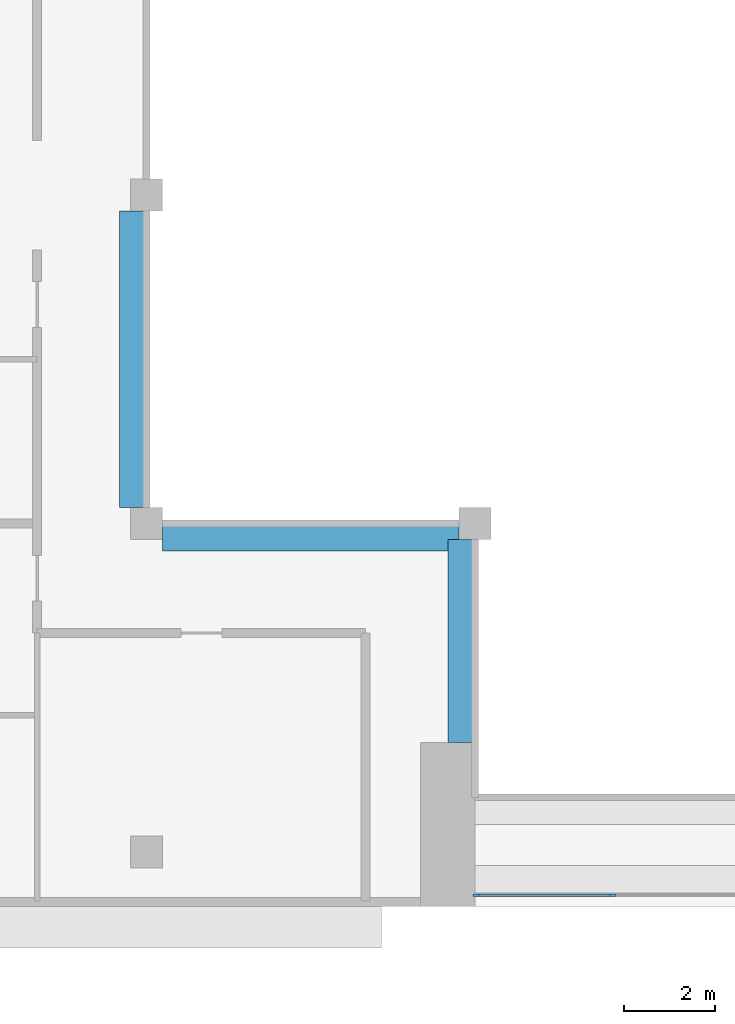
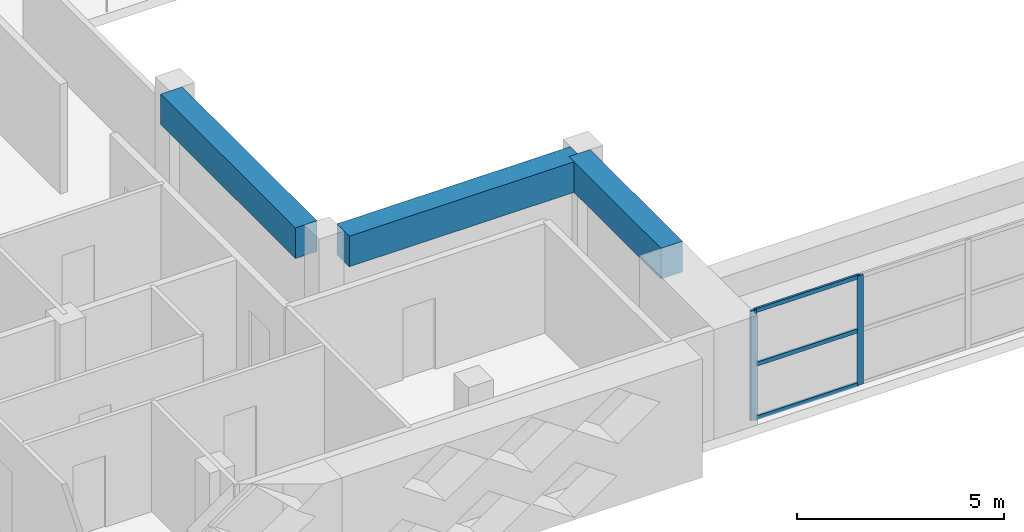
# One storey, part 2 of 18: 5 members, 3 beams, 1 element without a shape of its own.
"""IFC4 building model written with IfcOpenShell, lengths in metres."""

from ifc_helpers import new_model, si_unit, direction, frame, origin, origin_2d, place, context, subcontext, project, spatial, rectangle, extrude, source, transform, mapped, material, layer, layer_set, material_profile, profile_set, type_object, element, aggregate, save


model = new_model("IFC4")

# Units and contexts
model_context = context("Model", 3, precision=1e-05, world=origin(), true_north=direction((0.0, 1.0)))
body_context = subcontext(model_context, "Body", "Model", "MODEL_VIEW")
ifc_project = project(units=[si_unit("LENGTHUNIT", "METRE"), si_unit("AREAUNIT", "SQUARE_METRE"), si_unit("VOLUMEUNIT", "CUBIC_METRE"), si_unit("PLANEANGLEUNIT", "RADIAN"), si_unit("MASSUNIT", "GRAM", prefix="KILO")], contexts=[model_context])

# Site, building, storey
site_placement = place(None, origin())
site = spatial("IfcSite", under=ifc_project, at=site_placement, CompositionType="ELEMENT")
building_placement = place(site_placement, origin())
building = spatial("IfcBuilding", under=site, at=building_placement, Name="Saffron Iwan Residences", CompositionType="ELEMENT")
storey_placement = place(building_placement, frame((0.0, 0.0, 257.0)))
storey = spatial("IfcBuildingStorey", under=building, at=storey_placement, Name="L69", CompositionType="ELEMENT", Elevation=257.0)

# Beams
ifc_material_1 = material(Name="Concrete C40/50", Category="concrete")
ifc_material_profile_1 = material_profile(ifc_material_1, rectangle(XDim=0.60009765625, YDim=0.89990234375, at=origin_2d()), Name="RC 600x900")
ifc_profile_set_1 = profile_set([ifc_material_profile_1], Name="Concrete C40/50")
beam_type = type_object("IfcBeamType", Name="BEAM RC 600x900 C40/50 TOP 3220", PredefinedType="BEAM", material=ifc_profile_set_1)
shared_shape_1 = source(origin(), body_context, "Body", "SweptSolid", [
    extrude(rectangle(XDim=0.60009765625, YDim=0.89990234375, at=origin_2d()), origin(), (0.0, 0.0, 1.0), 4.449951171875),
])
beam_placement = place(storey_placement, frame((42.89990234375, 43.199951171875, 2.77001953125), z_axis=(0.0, 1.0, 0.0), x_axis=(-1.0, 0.0, 0.0)))
element("IfcBeam", 1, at=beam_placement, inside=storey, type_object=beam_type, Name="Atrium edge beam", PredefinedType="BEAM", context=body_context, shape_type="MappedRepresentation", body=[
    mapped(shared_shape_1, transform((0.0, 0.0, 0.0))),
])
shared_shape_2 = source(origin(), body_context, "Body", "SweptSolid", [
    extrude(rectangle(XDim=0.60009765625, YDim=0.89990234375, at=origin_2d()), origin(), (0.0, 0.0, 1.0), 6.5),
])
for number, where, z_axis, x_axis, name in (
    (2, (42.85009765625, 47.699951171875, 2.77001953125), (-1.0, 0.0, 0.0), (0.0, -1.0, 0.0), "Atrium edge beam"),
    (3, (35.699951171875, 48.35009765625, 2.77001953125), (0.0, 1.0, 0.0), (-1.0, 0.0, 0.0), "Atrium edge beam"),
):
    element("IfcBeam", number, at=place(storey_placement, frame(where, z_axis=z_axis, x_axis=x_axis)), inside=storey, type_object=beam_type, Name=name, PredefinedType="BEAM", context=body_context, shape_type="MappedRepresentation", body=[
        mapped(shared_shape_2, transform((0.0, 0.0, 0.0))),
    ])

# Curtain wall, members
ifc_material_2 = material(Name="Clear glass, laminated double glazed", Category="glass")
ifc_layer = layer(ifc_material_2, 0.199951171875)
ifc_layer_set = layer_set([ifc_layer], Name="Clear glass, laminated double glazed")
curtain_wall_type = type_object("IfcCurtainWallType", Name="CW-B IWAN PORTAL", PredefinedType="NOTDEFINED", material=ifc_layer_set)
curtain_wall_placement = place(storey_placement, origin())
curtain_wall = element("IfcCurtainWall", 4, at=curtain_wall_placement, inside=storey, type_object=curtain_wall_type, Name="Iwan portal glazing L69.1", PredefinedType="NOTDEFINED")
ifc_material_3 = material(Name="Aluminium 6063-T6", Category="aluminium")
ifc_material_profile_2 = material_profile(ifc_material_3, rectangle(XDim=0.06005859375, YDim=0.1201171875, at=origin_2d()), Name="CW-B TRANSOM 60 x 120")
ifc_profile_set_2 = profile_set([ifc_material_profile_2], Name="Aluminium 6063-T6")
member_type_1 = type_object("IfcMemberType", Name="CW-B TRANSOM 60 x 120", PredefinedType="USERDEFINED", material=ifc_profile_set_2)
shared_shape_3 = source(origin(), body_context, "Body", "SweptSolid", [
    extrude(rectangle(XDim=0.06005859375, YDim=0.1201171875, at=origin_2d()), origin(), (0.0, 0.0, 1.0), 2.909912109375),
])
member_1_placement = place(storey_placement, frame((43.260009765625, 39.85009765625, 0.030029296875), z_axis=(1.0, 0.0, 0.0), x_axis=(0.0, 1.0, 0.0)))
member_1 = element("IfcMember", 5, at=member_1_placement, type_object=member_type_1, Name="CW-B transom 1.1", ObjectType="TRANSOM", PredefinedType="USERDEFINED", context=body_context, shape_type="MappedRepresentation", body=[
    mapped(shared_shape_3, transform((0.0, 0.0, 0.0))),
])
member_2_placement = place(storey_placement, frame((43.260009765625, 39.85009765625, 1.610107421875), z_axis=(1.0, 0.0, 0.0), x_axis=(0.0, 1.0, 0.0)))
member_2 = element("IfcMember", 6, at=member_2_placement, type_object=member_type_1, Name="CW-B transom 1.2", ObjectType="TRANSOM", PredefinedType="USERDEFINED", context=body_context, shape_type="MappedRepresentation", body=[
    mapped(shared_shape_3, transform((0.0, 0.0, 0.0))),
])
member_3_placement = place(storey_placement, frame((43.260009765625, 39.85009765625, 3.18994140625), z_axis=(1.0, 0.0, 0.0), x_axis=(0.0, 1.0, 0.0)))
member_3 = element("IfcMember", 7, at=member_3_placement, type_object=member_type_1, Name="CW-B transom 1.3", ObjectType="TRANSOM", PredefinedType="USERDEFINED", context=body_context, shape_type="MappedRepresentation", body=[
    mapped(shared_shape_3, transform((0.0, 0.0, 0.0))),
])
ifc_material_profile_3 = material_profile(ifc_material_3, rectangle(XDim=0.06005859375, YDim=0.159912109375, at=origin_2d()), Name="CW-B MULLION 60 x 160")
ifc_profile_set_3 = profile_set([ifc_material_profile_3], Name="Aluminium 6063-T6")
member_type_2 = type_object("IfcMemberType", Name="CW-B MULLION 60 x 160", PredefinedType="MULLION", material=ifc_profile_set_3)
shared_shape_4 = source(origin(), body_context, "Body", "SweptSolid", [
    extrude(rectangle(XDim=0.06005859375, YDim=0.159912109375, at=origin_2d()), origin(), (0.0, 0.0, 1.0), 3.219970703125),
])
member_4_placement = place(storey_placement, frame((43.22998046875, 39.85009765625, 0.0), z_axis=(0.0, 0.0, 1.0), x_axis=(0.0, 1.0, 0.0)))
member_4 = element("IfcMember", 8, at=member_4_placement, type_object=member_type_2, Name="CW-B mullion 1", PredefinedType="MULLION", context=body_context, shape_type="MappedRepresentation", body=[
    mapped(shared_shape_4, transform((0.0, 0.0, 0.0))),
])
member_5_placement = place(storey_placement, frame((46.199951171875, 39.85009765625, 0.0), z_axis=(0.0, 0.0, 1.0), x_axis=(0.0, 1.0, 0.0)))
member_5 = element("IfcMember", 9, at=member_5_placement, type_object=member_type_2, Name="CW-B mullion 2", PredefinedType="MULLION", context=body_context, shape_type="MappedRepresentation", body=[
    mapped(shared_shape_4, transform((0.0, 0.0, 0.0))),
])
aggregate(curtain_wall, [member_4, member_5, member_1, member_2, member_3])

save(model, "model.ifc")
